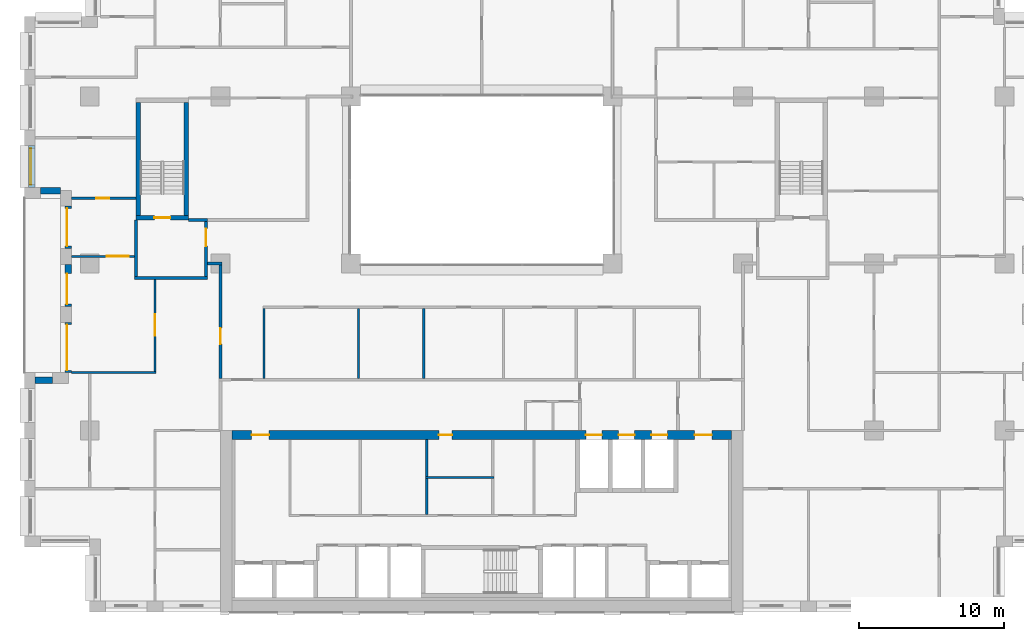
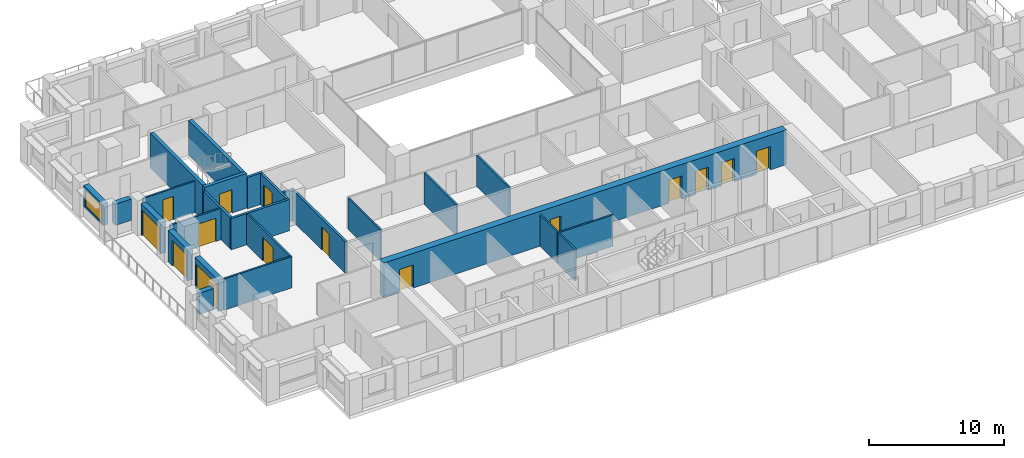
# One storey, part 9 of 16: 26 walls, 15 doors, 1 window, 16 openings.
"""IFC4 building model written with IfcOpenShell, lengths in metres."""

import ifcopenshell
import ifcopenshell.guid

model = None  # the IFC model being written
_history = None  # IfcOwnerHistory: only IFC2X3 demands one
_inside = {}  # id of a spatial element -> (the spatial element, [elements in it])
_under = {}  # id of a project, library or spatial element -> (it, [spatial elements below it])
_declared = {}  # id of a project -> (the project, [libraries it declares])
_typed = {}  # id of a type object -> (the type object, [elements of that type])
_made_of = {}  # id of a material, layer set ... -> (it, [elements and type objects made of it])


def new_model(schema):
    """Start an empty IFC model of exactly this schema.

    Asked for "IFC4X3", IfcOpenShell would pick the latest addendum, in which some entities
    have other attributes; the version numbers below select the first issue.
    IFC2X3 requires an IfcOwnerHistory on every rooted entity: one is made here for all.
    """
    global model, _history
    if schema == "IFC4X3":
        model = ifcopenshell.file(schema_version=(4, 3, 0, 0))
    else:
        model = ifcopenshell.file(schema=schema)
    _inside.clear()
    _under.clear()
    _declared.clear()
    _typed.clear()
    _made_of.clear()
    _history = None
    if model.schema == "IFC2X3":
        org = make("IfcOrganization", Name="unknown")
        user = make(
            "IfcPersonAndOrganization",
            ThePerson=make("IfcPerson", FamilyName="unknown"),
            TheOrganization=org,
        )
        app = make(
            "IfcApplication",
            ApplicationDeveloper=org,
            Version="unknown",
            ApplicationFullName="unknown",
            ApplicationIdentifier="unknown",
        )
        _history = make(
            "IfcOwnerHistory",
            OwningUser=user,
            OwningApplication=app,
            ChangeAction="ADDED",
            CreationDate=0,
        )
    return model


def make(cls, **values):
    """One entity of the class cls with the attributes given. An attribute that is None is left unset."""
    return model.create_entity(
        cls, **{name: value for name, value in values.items() if value is not None}
    )


def rooted(cls, **values):
    """An entity with a GlobalId (a new one), such as an element, a storey or a relation."""
    return make(cls, GlobalId=ifcopenshell.guid.new(), OwnerHistory=_history, **values)


def si_unit(unit_type, name, prefix=None):
    """IfcSIUnit, for example si_unit("LENGTHUNIT", "METRE", prefix="MILLI")."""
    return make("IfcSIUnit", UnitType=unit_type, Prefix=prefix, Name=name)


def assignment(units):
    """IfcUnitAssignment: the units of a project."""
    return None if units is None else make("IfcUnitAssignment", Units=units)


def point(xyz):
    """IfcCartesianPoint."""
    return None if xyz is None else make("IfcCartesianPoint", Coordinates=xyz)


def direction(xyz):
    """IfcDirection."""
    return None if xyz is None else make("IfcDirection", DirectionRatios=xyz)


def frame(location, z_axis=None, x_axis=None):
    """IfcAxis2Placement3D, a coordinate frame: its origin and axes. An axis left out is left unset."""
    return make(
        "IfcAxis2Placement3D",
        Location=point(location),
        Axis=direction(z_axis),
        RefDirection=direction(x_axis),
    )


def frame_2d(location, x_axis=None):
    """IfcAxis2Placement2D, a coordinate frame in the plane: its origin and x axis."""
    return make(
        "IfcAxis2Placement2D", Location=point(location), RefDirection=direction(x_axis)
    )


def origin():
    """The frame at (0, 0, 0) with its axes left unset."""
    return frame((0.0, 0.0, 0.0))


def place(relative_to, where):
    """IfcLocalPlacement: puts the frame where relative to a parent placement (None: the world)."""
    return make(
        "IfcLocalPlacement", PlacementRelTo=relative_to, RelativePlacement=where
    )


def context(
    kind, dimensions, precision=None, world=None, true_north=None, identifier=None
):
    """IfcGeometricRepresentationContext, for example the 3D "Model" context."""
    return make(
        "IfcGeometricRepresentationContext",
        ContextIdentifier=identifier,
        ContextType=kind,
        CoordinateSpaceDimension=dimensions,
        Precision=precision,
        WorldCoordinateSystem=world,
        TrueNorth=true_north,
    )


def subcontext(parent, identifier, kind, view, scale=None):
    """IfcGeometricRepresentationSubContext, for example "Body" below "Model"."""
    return make(
        "IfcGeometricRepresentationSubContext",
        ContextIdentifier=identifier,
        ContextType=kind,
        ParentContext=parent,
        TargetScale=scale,
        TargetView=view,
    )


def project(units=None, contexts=None):
    """IfcProject with its units and contexts."""
    return rooted(
        "IfcProject",
        Name="project",
        RepresentationContexts=contexts,
        UnitsInContext=assignment(units),
    )


def spatial(cls, under=None, at=None, **own):
    """A site, building, storey or space (cls), placed at a placement, below another one or the project."""
    s = rooted(cls, ObjectPlacement=at, **own)
    if under is not None:
        _under.setdefault(under.id(), (under, []))[1].append(s)
    return s


def profile(cls, at=None, kind="AREA", **sizes):
    """A parametric profile (cls). Its sizes go by their IFC names, for example OverallWidth=200.0."""
    return make(cls, ProfileType=kind, Position=at, **sizes)


def rectangle(**sizes):
    """IfcRectangleProfileDef."""
    return profile("IfcRectangleProfileDef", **sizes)


def extrude(swept, where, along, depth):
    """IfcExtrudedAreaSolid: the profile swept, set in the frame where, extruded along a direction by depth."""
    return make(
        "IfcExtrudedAreaSolid",
        SweptArea=swept,
        Position=where,
        ExtrudedDirection=direction(along),
        Depth=depth,
    )


def shape(context_of_items, identifier, shape_type, items):
    """IfcShapeRepresentation: the items that make up one representation, for example the "Body"."""
    return make(
        "IfcShapeRepresentation",
        ContextOfItems=context_of_items,
        RepresentationIdentifier=identifier,
        RepresentationType=shape_type,
        Items=items,
    )


def material(Name=None, Category=None):
    """IfcMaterial."""
    return make("IfcMaterial", Name=Name, Category=Category)


def layer(
    of_material, thickness, ventilated=None, Name=None, Category=None, Priority=None
):
    """IfcMaterialLayer: one layer of a wall or slab, of a material (None: an air gap)."""
    return make(
        "IfcMaterialLayer",
        Material=of_material,
        LayerThickness=thickness,
        IsVentilated=ventilated,
        Name=Name,
        Category=Category,
        Priority=Priority,
    )


def layer_set(layers, Name=None):
    """IfcMaterialLayerSet."""
    return make("IfcMaterialLayerSet", MaterialLayers=layers, LayerSetName=Name)


def made_of(thing, what):
    """Note that an element or type object is made of a material, layer set ...; save() writes the relation."""
    if what is not None:
        _made_of.setdefault(what.id(), (what, []))[1].append(thing)
    return thing


def type_object(cls, material=None, **own):
    """A type object (cls), such as IfcWallType, which elements share."""
    return made_of(rooted(cls, **own), material)


def element(
    cls,
    number,
    at=None,
    inside=None,
    cuts=None,
    type_object=None,
    material=None,
    context=None,
    identifier="Body",
    shape_type=None,
    held_by="IfcProductDefinitionShape",
    body=None,
    shapes=None,
    **own,
):
    """One element of the class cls, such as IfcWall. Its Tag is "e" and its number.

    at: its placement. inside: the storey or other place that contains it. cuts: it is an
    opening in that element (IfcRelVoidsElement). A single representation is given by context,
    identifier, shape_type and body (its items); several are given by shapes. held_by: the class
    of the entity that holds the representations. save() writes the other relations.
    """
    e = rooted(cls, Tag="e%d" % number, ObjectPlacement=at, **own)
    if body is not None:
        shapes = [shape(context, identifier, shape_type, body)]
    if shapes is not None:
        e.Representation = make(held_by, Representations=shapes)
    if inside is not None:
        _inside.setdefault(inside.id(), (inside, []))[1].append(e)
    if cuts is not None:
        rooted(
            "IfcRelVoidsElement", RelatingBuildingElement=cuts, RelatedOpeningElement=e
        )
    if type_object is not None:
        _typed.setdefault(type_object.id(), (type_object, []))[1].append(e)
    return made_of(e, material)


def fill(opening, filler):
    """IfcRelFillsElement: the door or window that sits in an opening."""
    return rooted(
        "IfcRelFillsElement",
        RelatingOpeningElement=opening,
        RelatedBuildingElement=filler,
    )


def aggregate(whole, parts):
    """IfcRelAggregates: a whole, such as a stair, and the parts it consists of."""
    return rooted("IfcRelAggregates", RelatingObject=whole, RelatedObjects=parts)


def save(model, path):
    """Write the relations noted so far, then the file.

    IfcRelAggregates (storeys below a building ...), IfcRelContainedInSpatialStructure (elements
    in a storey), IfcRelDefinesByType, IfcRelAssociatesMaterial and IfcRelDeclares: one each for
    every whole, place, type object, material and project.
    """
    for whole, parts in _under.values():
        aggregate(whole, parts)
    for where, things in _inside.values():
        rooted(
            "IfcRelContainedInSpatialStructure",
            RelatedElements=things,
            RelatingStructure=where,
        )
    for kind, things in _typed.values():
        rooted("IfcRelDefinesByType", RelatedObjects=things, RelatingType=kind)
    for what, things in _made_of.values():
        rooted("IfcRelAssociatesMaterial", RelatedObjects=things, RelatingMaterial=what)
    for by, libraries in _declared.values():
        rooted("IfcRelDeclares", RelatingContext=by, RelatedDefinitions=libraries)
    model.write(path)


model = new_model("IFC4")

# Units and contexts
model_context = context("Model", 3, precision=1e-05, world=origin(), true_north=direction((0.0, 1.0)))
body_context = subcontext(model_context, "Body", "Model", "MODEL_VIEW")
ifc_project = project(units=[si_unit("LENGTHUNIT", "METRE"), si_unit("AREAUNIT", "SQUARE_METRE"), si_unit("VOLUMEUNIT", "CUBIC_METRE"), si_unit("PLANEANGLEUNIT", "RADIAN"), si_unit("MASSUNIT", "GRAM", prefix="KILO")], contexts=[model_context])

# Site, building, storey
site_placement = place(None, origin())
site = spatial("IfcSite", under=ifc_project, at=site_placement, CompositionType="ELEMENT")
building_placement = place(site_placement, origin())
building = spatial("IfcBuilding", under=site, at=building_placement, Name="Brigalow Station Residences", CompositionType="ELEMENT")
storey_placement = place(building_placement, frame((0.0, 0.0, 86.699951171875)))
storey = spatial("IfcBuildingStorey", under=building, at=storey_placement, Name="L24", CompositionType="ELEMENT", Elevation=86.699951171875)

# Wall, opening, window
ifc_material_1 = material(Name="Clay brick masonry", Category="masonry")
ifc_layer_1 = layer(ifc_material_1, 0.449951171875)
ifc_layer_set_1 = layer_set([ifc_layer_1], Name="BRICK INFILL WALL 450")
wall_type_1 = type_object("IfcWallType", Name="BRICK INFILL WALL 450", PredefinedType="SOLIDWALL", material=ifc_layer_set_1)
wall_1_placement = place(storey_placement, frame((5.02490234375, 32.116943359375, 0.900146484375), z_axis=(0.0, 0.0, 1.0), x_axis=(0.0, -1.0, 0.0)))
wall_1 = element("IfcWall", 1, at=wall_1_placement, inside=storey, type_object=wall_type_1, Name="L24/ewall/W-L24-41", PredefinedType="SOLIDWALL", context=body_context, shape_type="SweptSolid", body=[
    extrude(rectangle(XDim=2.866943359375, YDim=0.449951171875, at=frame_2d((1.43359375, 0.0))), origin(), (0.0, 0.0, 1.0), 1.929931640625),
])
opening_1_placement = place(wall_1_placement, frame((0.18359375, 0.0, 0.14990234375)))
opening_1 = element("IfcOpeningElement", 2, at=opening_1_placement, cuts=wall_1, Name="Opening WT-5", PredefinedType="OPENING", context=body_context, shape_type="SweptSolid", body=[
    extrude(rectangle(XDim=2.5, YDim=1.5, at=frame_2d((1.25, 0.75))), frame((0.0, 0.23486328125, 0.0), z_axis=(0.0, -1.0, 0.0), x_axis=(1.0, 0.0, 0.0)), (0.0, 0.0, 1.0), 0.469970703125),
])
ifc_material_2 = material(Name="Anodised aluminium frame with double glazing", Category="aluminium")
window_type = type_object("IfcWindowType", Name="WINDOW 2500x1500", PartitioningType="SINGLE_PANEL", PredefinedType="WINDOW", material=ifc_material_2)
window_placement = place(opening_1_placement, origin())
window = element("IfcWindow", 3, at=window_placement, inside=storey, type_object=window_type, Name="L24/window/W-L24-41", OverallHeight=1.5, OverallWidth=2.5, PartitioningType="SINGLE_PANEL", PredefinedType="WINDOW", context=body_context, shape_type="SweptSolid", body=[
    extrude(rectangle(XDim=2.5, YDim=1.5, at=frame_2d((1.25, 0.75))), frame((0.0, -0.06494140625, 0.0), z_axis=(0.0, -1.0, 0.0), x_axis=(1.0, 0.0, 0.0)), (0.0, 0.0, 1.0), 0.06005859375),
])
fill(opening_1, window)

# Wall
wall_2_placement = place(storey_placement, frame((5.60009765625, 29.02490234375, 0.900146484375), z_axis=(0.0, 0.0, 1.0), x_axis=(1.0, 0.0, 0.0)))
element("IfcWall", 4, at=wall_2_placement, inside=storey, type_object=wall_type_1, Name="L24/ewall/W-L24-42", PredefinedType="SOLIDWALL", context=body_context, shape_type="SweptSolid", body=[
    extrude(rectangle(XDim=1.39990234375, YDim=0.449951171875, at=frame_2d((0.699951171875, 0.0))), origin(), (0.0, 0.0, 1.0), 1.929931640625),
])

# Wall, opening, door
wall_3_placement = place(storey_placement, frame((7.52490234375, 27.949951171875, 0.0), z_axis=(0.0, 0.0, 1.0), x_axis=(0.0, -1.0, 0.0)))
wall_3 = element("IfcWall", 5, at=wall_3_placement, inside=storey, type_object=wall_type_1, Name="L24/ewall/W-L24-43", PredefinedType="SOLIDWALL", context=body_context, shape_type="SweptSolid", body=[
    extrude(rectangle(XDim=2.89990234375, YDim=0.449951171875, at=frame_2d((1.449951171875, 0.0))), origin(), (0.0, 0.0, 1.0), 2.830078125),
])
opening_2_placement = place(wall_3_placement, frame((0.14990234375, 0.0, 0.0)))
opening_2 = element("IfcOpeningElement", 6, at=opening_2_placement, cuts=wall_3, Name="Opening D-B2600", PredefinedType="OPENING", context=body_context, shape_type="SweptSolid", body=[
    extrude(rectangle(XDim=2.60009765625, YDim=2.300048828125, at=frame_2d((1.300048828125, 1.14990234375))), frame((0.0, 0.23486328125, 0.0), z_axis=(0.0, -1.0, 0.0), x_axis=(1.0, 0.0, 0.0)), (0.0, 0.0, 1.0), 0.469970703125),
])
ifc_material_3 = material(Name="Anodised aluminium frame with double glazing", Category="aluminium")
door_type_1 = type_object("IfcDoorType", Name="BALCONY SLIDING DOOR 2600x2300", OperationType="SLIDING_TO_LEFT", PredefinedType="DOOR", material=ifc_material_3)
door_1_placement = place(opening_2_placement, origin())
door_1 = element("IfcDoor", 7, at=door_1_placement, inside=storey, type_object=door_type_1, Name="L24/balcony-door/W-L24-43", OperationType="SLIDING_TO_LEFT", OverallHeight=2.300048828125, OverallWidth=2.60009765625, PredefinedType="DOOR", context=body_context, shape_type="SweptSolid", body=[
    extrude(rectangle(XDim=2.60009765625, YDim=2.300048828125, at=frame_2d((1.300048828125, 1.14990234375))), frame((0.0, -0.06982421875, 0.0), z_axis=(0.0, -1.0, 0.0), x_axis=(1.0, 0.0, 0.0)), (0.0, 0.0, 1.0), 0.050048828125),
])
fill(opening_2, door_1)

wall_4_placement = place(storey_placement, frame((7.52490234375, 23.949951171875, 0.0), z_axis=(0.0, 0.0, 1.0), x_axis=(0.0, -1.0, 0.0)))
wall_4 = element("IfcWall", 8, at=wall_4_placement, inside=storey, type_object=wall_type_1, Name="L24/ewall/W-L24-44", PredefinedType="SOLIDWALL", context=body_context, shape_type="SweptSolid", body=[
    extrude(rectangle(XDim=2.89990234375, YDim=0.449951171875, at=frame_2d((1.449951171875, 0.0))), origin(), (0.0, 0.0, 1.0), 2.830078125),
])
opening_3_placement = place(wall_4_placement, frame((0.635009765625, 0.0, 0.0)))
opening_3 = element("IfcOpeningElement", 9, at=opening_3_placement, cuts=wall_4, Name="Opening D-B2100", PredefinedType="OPENING", context=body_context, shape_type="SweptSolid", body=[
    extrude(rectangle(XDim=2.10009765625, YDim=2.300048828125, at=frame_2d((1.050048828125, 1.14990234375))), frame((0.0, 0.23486328125, 0.0), z_axis=(0.0, -1.0, 0.0), x_axis=(1.0, 0.0, 0.0)), (0.0, 0.0, 1.0), 0.469970703125),
])
ifc_material_4 = material(Name="Anodised aluminium frame with double glazing", Category="aluminium")
door_type_2 = type_object("IfcDoorType", Name="BALCONY SLIDING DOOR 2100x2300", OperationType="SLIDING_TO_LEFT", PredefinedType="DOOR", material=ifc_material_4)
door_2_placement = place(opening_3_placement, origin())
door_2 = element("IfcDoor", 10, at=door_2_placement, inside=storey, type_object=door_type_2, Name="L24/balcony-door/W-L24-44", OperationType="SLIDING_TO_LEFT", OverallHeight=2.300048828125, OverallWidth=2.10009765625, PredefinedType="DOOR", context=body_context, shape_type="SweptSolid", body=[
    extrude(rectangle(XDim=2.10009765625, YDim=2.300048828125, at=frame_2d((1.050048828125, 1.14990234375))), frame((0.0, -0.06982421875, 0.0), z_axis=(0.0, -1.0, 0.0), x_axis=(1.0, 0.0, 0.0)), (0.0, 0.0, 1.0), 0.050048828125),
])
fill(opening_3, door_2)

wall_5_placement = place(storey_placement, frame((7.52490234375, 19.949951171875, 0.0), z_axis=(0.0, 0.0, 1.0), x_axis=(0.0, -1.0, 0.0)))
wall_5 = element("IfcWall", 11, at=wall_5_placement, inside=storey, type_object=wall_type_1, Name="L24/ewall/W-L24-45", PredefinedType="SOLIDWALL", context=body_context, shape_type="SweptSolid", body=[
    extrude(rectangle(XDim=3.449951171875, YDim=0.449951171875, at=frame_2d((1.72509765625, 0.0))), origin(), (0.0, 0.0, 1.0), 2.830078125),
])
opening_4_placement = place(wall_5_placement, frame((0.14990234375, 0.0, 0.0)))
opening_4 = element("IfcOpeningElement", 12, at=opening_4_placement, cuts=wall_5, Name="Opening D-B3150", PredefinedType="OPENING", context=body_context, shape_type="SweptSolid", body=[
    extrude(rectangle(XDim=3.14990234375, YDim=2.300048828125, at=frame_2d((1.574951171875, 1.14990234375))), frame((0.0, 0.23486328125, 0.0), z_axis=(0.0, -1.0, 0.0), x_axis=(1.0, 0.0, 0.0)), (0.0, 0.0, 1.0), 0.469970703125),
])
ifc_material_5 = material(Name="Anodised aluminium frame with double glazing", Category="aluminium")
door_type_3 = type_object("IfcDoorType", Name="BALCONY SLIDING DOOR 3150x2300", OperationType="SLIDING_TO_LEFT", PredefinedType="DOOR", material=ifc_material_5)
door_3_placement = place(opening_4_placement, origin())
door_3 = element("IfcDoor", 13, at=door_3_placement, inside=storey, type_object=door_type_3, Name="L24/balcony-door/W-L24-45", OperationType="SLIDING_TO_LEFT", OverallHeight=2.300048828125, OverallWidth=3.14990234375, PredefinedType="DOOR", context=body_context, shape_type="SweptSolid", body=[
    extrude(rectangle(XDim=3.14990234375, YDim=2.300048828125, at=frame_2d((1.574951171875, 1.14990234375))), frame((0.0, -0.06982421875, 0.0), z_axis=(0.0, -1.0, 0.0), x_axis=(1.0, 0.0, 0.0)), (0.0, 0.0, 1.0), 0.050048828125),
])
fill(opening_4, door_3)

# Wall
wall_6_placement = place(storey_placement, frame((6.449951171875, 15.97509765625, 0.900146484375), z_axis=(0.0, 0.0, 1.0), x_axis=(-1.0, 0.0, 0.0)))
element("IfcWall", 14, at=wall_6_placement, inside=storey, type_object=wall_type_1, Name="L24/ewall/W-L24-46", PredefinedType="SOLIDWALL", context=body_context, shape_type="SweptSolid", body=[
    extrude(rectangle(XDim=1.199951171875, YDim=0.449951171875, at=frame_2d((0.60009765625, 0.0))), origin(), (0.0, 0.0, 1.0), 1.929931640625),
])

# Wall, opening, door
ifc_material_6 = material(Name="Concrete C65", Category="concrete")
ifc_layer_2 = layer(ifc_material_6, 0.300048828125)
ifc_layer_set_2 = layer_set([ifc_layer_2], Name="CORE SHEAR WALL 300 C65")
wall_type_2 = type_object("IfcWallType", Name="CORE SHEAR WALL 300 C65", PredefinedType="SHEAR", material=ifc_layer_set_2)
wall_7_placement = place(storey_placement, frame((12.199951171875, 27.14990234375, 0.0), z_axis=(0.0, 0.0, 1.0), x_axis=(1.0, 0.0, 0.0)))
wall_7 = element("IfcWall", 15, at=wall_7_placement, inside=storey, type_object=wall_type_2, Name="CORE WALL ST-S1-S L24", PredefinedType="SHEAR", context=body_context, shape_type="SweptSolid", body=[
    extrude(rectangle(XDim=3.60009765625, YDim=0.300048828125, at=frame_2d((1.800048828125, 0.0))), origin(), (0.0, 0.0, 1.0), 3.150146484375),
])
opening_5_placement = place(wall_7_placement, frame((1.25, 0.0, 0.0)))
opening_5 = element("IfcOpeningElement", 16, at=opening_5_placement, cuts=wall_7, Name="Opening D-5015", PredefinedType="OPENING", context=body_context, shape_type="SweptSolid", body=[
    extrude(rectangle(XDim=1.10009765625, YDim=2.10009765625, at=frame_2d((0.550048828125, 1.050048828125))), frame((0.0, 0.16015625, 0.0), z_axis=(0.0, -1.0, 0.0), x_axis=(1.0, 0.0, 0.0)), (0.0, 0.0, 1.0), 0.320068359375),
])
ifc_material_7 = material(Name="Steel fire door leaf in steel frame", Category="steel")
door_type_4 = type_object("IfcDoorType", Name="STAIR DOOR 1100 x 2100 FD60S", OperationType="SINGLE_SWING_LEFT", PredefinedType="DOOR", material=ifc_material_7)
door_4_placement = place(opening_5_placement, origin())
door_4 = element("IfcDoor", 17, at=door_4_placement, inside=storey, type_object=door_type_4, Name="D-5015", OperationType="SINGLE_SWING_LEFT", OverallHeight=2.10009765625, OverallWidth=1.10009765625, PredefinedType="DOOR", context=body_context, shape_type="SweptSolid", body=[
    extrude(rectangle(XDim=1.10009765625, YDim=2.10009765625, at=frame_2d((0.550048828125, 1.050048828125))), frame((0.0, 0.02490234375, 0.0), z_axis=(0.0, -1.0, 0.0), x_axis=(1.0, 0.0, 0.0)), (0.0, 0.0, 1.0), 0.050048828125),
])
fill(opening_5, door_4)

# Walls
for number, where, z_axis, x_axis, name in (
    (18, (12.35009765625, 27.300048828125, 0.0), (0.0, 0.0, 1.0), (0.0, 1.0, 0.0), "CORE WALL ST-S1-W L24"),
    (19, (15.64990234375, 27.300048828125, 0.0), (0.0, 0.0, 1.0), (0.0, 1.0, 0.0), "CORE WALL ST-S1-E L24"),
):
    element("IfcWall", number, at=place(storey_placement, frame(where, z_axis=z_axis, x_axis=x_axis)), inside=storey, type_object=wall_type_2, Name=name, PredefinedType="SHEAR", context=body_context, shape_type="SweptSolid", body=[
        extrude(rectangle(XDim=7.800048828125, YDim=0.300048828125, at=frame_2d((3.89990234375, 0.0))), origin(), (0.0, 0.0, 1.0), 3.150146484375),
    ])

# Wall, openings, doors
ifc_material_8 = material(Name="Concrete C65", Category="concrete")
ifc_layer_3 = layer(ifc_material_8, 0.60009765625)
ifc_layer_set_3 = layer_set([ifc_layer_3], Name="CORE SHEAR WALL 600 C65")
wall_type_3 = type_object("IfcWallType", Name="CORE SHEAR WALL 600 C65", PredefinedType="SHEAR", material=ifc_layer_set_3)
wall_8_placement = place(storey_placement, frame((18.800048828125, 12.199951171875, 0.0), z_axis=(0.0, 0.0, 1.0), x_axis=(1.0, 0.0, 0.0)))
wall_8 = element("IfcWall", 20, at=wall_8_placement, inside=storey, type_object=wall_type_3, Name="CORE WALL OUT-N L24", PredefinedType="SHEAR", context=body_context, shape_type="SweptSolid", body=[
    extrude(rectangle(XDim=34.39990234375, YDim=0.60009765625, at=frame_2d((17.199951171875, 0.0))), origin(), (0.0, 0.0, 1.0), 3.150146484375),
])
opening_6_placement = place(wall_8_placement, frame((24.375, 0.0, 0.0)))
opening_6 = element("IfcOpeningElement", 21, at=opening_6_placement, cuts=wall_8, Name="Opening LD-LF1", PredefinedType="OPENING", context=body_context, shape_type="SweptSolid", body=[
    extrude(rectangle(XDim=1.10009765625, YDim=2.10009765625, at=frame_2d((0.550048828125, 1.050048828125))), frame((0.0, 0.31005859375, 0.0), z_axis=(0.0, -1.0, 0.0), x_axis=(1.0, 0.0, 0.0)), (0.0, 0.0, 1.0), 0.6201171875),
])
opening_7_placement = place(wall_8_placement, frame((26.625, 0.0, 0.0)))
opening_7 = element("IfcOpeningElement", 22, at=opening_7_placement, cuts=wall_8, Name="Opening LD-LF2", PredefinedType="OPENING", context=body_context, shape_type="SweptSolid", body=[
    extrude(rectangle(XDim=1.10009765625, YDim=2.10009765625, at=frame_2d((0.550048828125, 1.050048828125))), frame((0.0, 0.31005859375, 0.0), z_axis=(0.0, -1.0, 0.0), x_axis=(1.0, 0.0, 0.0)), (0.0, 0.0, 1.0), 0.6201171875),
])
opening_8_placement = place(wall_8_placement, frame((28.875, 0.0, 0.0)))
opening_8 = element("IfcOpeningElement", 23, at=opening_8_placement, cuts=wall_8, Name="Opening LD-LG1", PredefinedType="OPENING", context=body_context, shape_type="SweptSolid", body=[
    extrude(rectangle(XDim=1.10009765625, YDim=2.10009765625, at=frame_2d((0.550048828125, 1.050048828125))), frame((0.0, 0.31005859375, 0.0), z_axis=(0.0, -1.0, 0.0), x_axis=(1.0, 0.0, 0.0)), (0.0, 0.0, 1.0), 0.6201171875),
])
opening_9_placement = place(wall_8_placement, frame((14.25, 0.0, 0.0)))
opening_9 = element("IfcOpeningElement", 24, at=opening_9_placement, cuts=wall_8, Name="Opening D-5113", PredefinedType="OPENING", context=body_context, shape_type="SweptSolid", body=[
    extrude(rectangle(XDim=0.89990234375, YDim=2.10009765625, at=frame_2d((0.449951171875, 1.050048828125))), frame((0.0, 0.31005859375, 0.0), z_axis=(0.0, -1.0, 0.0), x_axis=(1.0, 0.0, 0.0)), (0.0, 0.0, 1.0), 0.6201171875),
])
opening_10_placement = place(wall_8_placement, frame((1.35009765625, 0.0, 0.0)))
opening_10 = element("IfcOpeningElement", 25, at=opening_10_placement, cuts=wall_8, Name="Opening D-5011", PredefinedType="OPENING", context=body_context, shape_type="SweptSolid", body=[
    extrude(rectangle(XDim=1.199951171875, YDim=2.10009765625, at=frame_2d((0.60009765625, 1.050048828125))), frame((0.0, 0.31005859375, 0.0), z_axis=(0.0, -1.0, 0.0), x_axis=(1.0, 0.0, 0.0)), (0.0, 0.0, 1.0), 0.6201171875),
])
opening_11_placement = place(wall_8_placement, frame((31.85009765625, 0.0, 0.0)))
opening_11 = element("IfcOpeningElement", 26, at=opening_11_placement, cuts=wall_8, Name="Opening D-5012", PredefinedType="OPENING", context=body_context, shape_type="SweptSolid", body=[
    extrude(rectangle(XDim=1.199951171875, YDim=2.10009765625, at=frame_2d((0.60009765625, 1.050048828125))), frame((0.0, 0.31005859375, 0.0), z_axis=(0.0, -1.0, 0.0), x_axis=(1.0, 0.0, 0.0)), (0.0, 0.0, 1.0), 0.6201171875),
])
ifc_material_9 = material(Name="Steel fire door leaf in steel frame", Category="steel")
door_type_5 = type_object("IfcDoorType", Name="CORE CORRIDOR DOOR 1200 x 2100 FD60S", OperationType="SINGLE_SWING_LEFT", PredefinedType="DOOR", material=ifc_material_9)
door_5_placement = place(opening_10_placement, frame((1.199951171875, 0.0, 0.0), z_axis=(0.0, 0.0, 1.0), x_axis=(-1.0, 0.0, 0.0)))
door_5 = element("IfcDoor", 27, at=door_5_placement, inside=storey, type_object=door_type_5, Name="D-5011", OperationType="SINGLE_SWING_LEFT", OverallHeight=2.10009765625, OverallWidth=1.199951171875, PredefinedType="DOOR", context=body_context, shape_type="SweptSolid", body=[
    extrude(rectangle(XDim=1.199951171875, YDim=2.10009765625, at=frame_2d((0.60009765625, 1.050048828125))), frame((0.0, 0.02490234375, 0.0), z_axis=(0.0, -1.0, 0.0), x_axis=(1.0, 0.0, 0.0)), (0.0, 0.0, 1.0), 0.050048828125),
])
fill(opening_10, door_5)
door_6_placement = place(opening_11_placement, frame((1.199951171875, 0.0, 0.0), z_axis=(0.0, 0.0, 1.0), x_axis=(-1.0, 0.0, 0.0)))
door_6 = element("IfcDoor", 28, at=door_6_placement, inside=storey, type_object=door_type_5, Name="D-5012", OperationType="SINGLE_SWING_RIGHT", OverallHeight=2.10009765625, OverallWidth=1.199951171875, PredefinedType="DOOR", context=body_context, shape_type="SweptSolid", body=[
    extrude(rectangle(XDim=1.199951171875, YDim=2.10009765625, at=frame_2d((0.60009765625, 1.050048828125))), frame((0.0, 0.02490234375, 0.0), z_axis=(0.0, -1.0, 0.0), x_axis=(1.0, 0.0, 0.0)), (0.0, 0.0, 1.0), 0.050048828125),
])
fill(opening_11, door_6)
ifc_material_10 = material(Name="Stainless steel sliding door leaves", Category="steel")
door_type_6 = type_object("IfcDoorType", Name="LIFT LANDING DOOR 1100 x 2100", OperationType="DOUBLE_DOOR_SLIDING", PredefinedType="DOOR", material=ifc_material_10)
door_7_placement = place(opening_6_placement, origin())
door_7 = element("IfcDoor", 29, at=door_7_placement, inside=storey, type_object=door_type_6, Name="LANDING DOOR LF1", OperationType="DOUBLE_DOOR_SLIDING", OverallHeight=2.10009765625, OverallWidth=1.10009765625, PredefinedType="DOOR", context=body_context, shape_type="SweptSolid", body=[
    extrude(rectangle(XDim=1.10009765625, YDim=2.10009765625, at=frame_2d((0.550048828125, 1.050048828125))), frame((0.0, 0.02490234375, 0.0), z_axis=(0.0, -1.0, 0.0), x_axis=(1.0, 0.0, 0.0)), (0.0, 0.0, 1.0), 0.050048828125),
])
fill(opening_6, door_7)
door_8_placement = place(opening_7_placement, origin())
door_8 = element("IfcDoor", 30, at=door_8_placement, inside=storey, type_object=door_type_6, Name="LANDING DOOR LF2", OperationType="DOUBLE_DOOR_SLIDING", OverallHeight=2.10009765625, OverallWidth=1.10009765625, PredefinedType="DOOR", context=body_context, shape_type="SweptSolid", body=[
    extrude(rectangle(XDim=1.10009765625, YDim=2.10009765625, at=frame_2d((0.550048828125, 1.050048828125))), frame((0.0, 0.02490234375, 0.0), z_axis=(0.0, -1.0, 0.0), x_axis=(1.0, 0.0, 0.0)), (0.0, 0.0, 1.0), 0.050048828125),
])
fill(opening_7, door_8)
door_9_placement = place(opening_8_placement, origin())
door_9 = element("IfcDoor", 31, at=door_9_placement, inside=storey, type_object=door_type_6, Name="LANDING DOOR LG1", OperationType="DOUBLE_DOOR_SLIDING", OverallHeight=2.10009765625, OverallWidth=1.10009765625, PredefinedType="DOOR", context=body_context, shape_type="SweptSolid", body=[
    extrude(rectangle(XDim=1.10009765625, YDim=2.10009765625, at=frame_2d((0.550048828125, 1.050048828125))), frame((0.0, 0.02490234375, 0.0), z_axis=(0.0, -1.0, 0.0), x_axis=(1.0, 0.0, 0.0)), (0.0, 0.0, 1.0), 0.050048828125),
])
fill(opening_8, door_9)
ifc_material_11 = material(Name="Steel door leaf in steel frame", Category="steel")
door_type_7 = type_object("IfcDoorType", Name="SERVICE ROOM DOOR 900 x 2100 FD60", OperationType="SINGLE_SWING_LEFT", PredefinedType="DOOR", material=ifc_material_11)
door_10_placement = place(opening_9_placement, frame((0.89990234375, 0.0, 0.0), z_axis=(0.0, 0.0, 1.0), x_axis=(-1.0, 0.0, 0.0)))
door_10 = element("IfcDoor", 32, at=door_10_placement, inside=storey, type_object=door_type_7, Name="D-5113", OperationType="SINGLE_SWING_RIGHT", OverallHeight=2.10009765625, OverallWidth=0.89990234375, PredefinedType="DOOR", context=body_context, shape_type="SweptSolid", body=[
    extrude(rectangle(XDim=0.89990234375, YDim=2.10009765625, at=frame_2d((0.449951171875, 1.050048828125))), frame((0.0, 0.02490234375, 0.0), z_axis=(0.0, -1.0, 0.0), x_axis=(1.0, 0.0, 0.0)), (0.0, 0.0, 1.0), 0.050048828125),
])
fill(opening_9, door_10)

# Walls
ifc_material_12 = material(Name="Concrete blockwork", Category="masonry")
ifc_layer_4 = layer(ifc_material_12, 0.199951171875)
ifc_layer_set_4 = layer_set([ifc_layer_4], Name="FIRE RATED CORE PARTITION 200")
wall_type_4 = type_object("IfcWallType", Name="FIRE RATED CORE PARTITION 200", PredefinedType="PARTITIONING", material=ifc_layer_set_4)
wall_9_placement = place(storey_placement, frame((12.10009765625, 23.0, 0.0), z_axis=(0.0, 0.0, 1.0), x_axis=(1.0, 0.0, 0.0)))
element("IfcWall", 33, at=wall_9_placement, inside=storey, type_object=wall_type_4, Name="PW-5023", PredefinedType="PARTITIONING", context=body_context, shape_type="SweptSolid", body=[
    extrude(rectangle(XDim=5.0, YDim=0.199951171875, at=frame_2d((2.5, 0.0))), origin(), (0.0, 0.0, 1.0), 2.830078125),
])
wall_10_placement = place(storey_placement, frame((15.800048828125, 27.0, 0.0), z_axis=(0.0, 0.0, 1.0), x_axis=(1.0, 0.0, 0.0)))
element("IfcWall", 34, at=wall_10_placement, inside=storey, type_object=wall_type_4, Name="PW-5025", PredefinedType="PARTITIONING", context=body_context, shape_type="SweptSolid", body=[
    extrude(rectangle(XDim=1.300048828125, YDim=0.199951171875, at=frame_2d((0.64990234375, 0.0))), origin(), (0.0, 0.0, 1.0), 2.830078125),
])
wall_11_placement = place(storey_placement, frame((12.199951171875, 23.10009765625, 0.0), z_axis=(0.0, 0.0, 1.0), x_axis=(0.0, 1.0, 0.0)))
element("IfcWall", 35, at=wall_11_placement, inside=storey, type_object=wall_type_4, Name="PW-5034", PredefinedType="PARTITIONING", context=body_context, shape_type="SweptSolid", body=[
    extrude(rectangle(XDim=3.89990234375, YDim=0.199951171875, at=frame_2d((1.949951171875, 0.0))), origin(), (0.0, 0.0, 1.0), 2.830078125),
])

# Wall, opening, door
wall_12_placement = place(storey_placement, frame((17.0, 23.10009765625, 0.0), z_axis=(0.0, 0.0, 1.0), x_axis=(0.0, 1.0, 0.0)))
wall_12 = element("IfcWall", 36, at=wall_12_placement, inside=storey, type_object=wall_type_4, Name="PW-5035", PredefinedType="PARTITIONING", context=body_context, shape_type="SweptSolid", body=[
    extrude(rectangle(XDim=3.7998046875, YDim=0.199951171875, at=frame_2d((1.89990234375, 0.0))), origin(), (0.0, 0.0, 1.0), 2.830078125),
])
opening_12_placement = place(wall_12_placement, frame((2.10009765625, 0.0, 0.0)))
opening_12 = element("IfcOpeningElement", 37, at=opening_12_placement, cuts=wall_12, Name="Opening D-5016", PredefinedType="OPENING", context=body_context, shape_type="SweptSolid", body=[
    extrude(rectangle(XDim=1.199951171875, YDim=2.10009765625, at=frame_2d((0.60009765625, 1.050048828125))), frame((0.0, 0.10986328125, 0.0), z_axis=(0.0, -1.0, 0.0), x_axis=(1.0, 0.0, 0.0)), (0.0, 0.0, 1.0), 0.219970703125),
])
ifc_material_13 = material(Name="Steel fire door leaf in steel frame", Category="steel")
door_type_8 = type_object("IfcDoorType", Name="STAIR LOBBY DOOR 1200 x 2100 FD60S", OperationType="SINGLE_SWING_LEFT", PredefinedType="DOOR", material=ifc_material_13)
door_11_placement = place(opening_12_placement, origin())
door_11 = element("IfcDoor", 38, at=door_11_placement, inside=storey, type_object=door_type_8, Name="D-5016", OperationType="SINGLE_SWING_RIGHT", OverallHeight=2.10009765625, OverallWidth=1.199951171875, PredefinedType="DOOR", context=body_context, shape_type="SweptSolid", body=[
    extrude(rectangle(XDim=1.199951171875, YDim=2.10009765625, at=frame_2d((0.60009765625, 1.050048828125))), frame((0.0, 0.02490234375, 0.0), z_axis=(0.0, -1.0, 0.0), x_axis=(1.0, 0.0, 0.0)), (0.0, 0.0, 1.0), 0.050048828125),
])
fill(opening_12, door_11)

# Wall
ifc_material_14 = material(Name="Plasterboard on steel stud partition", Category="steel")
ifc_layer_5 = layer(ifc_material_14, 0.14990234375)
ifc_layer_set_5 = layer_set([ifc_layer_5], Name="FLAT PARTITION 150")
wall_type_5 = type_object("IfcWallType", Name="FLAT PARTITION 150", PredefinedType="PARTITIONING", material=ifc_layer_set_5)
wall_13_placement = place(storey_placement, frame((7.75, 16.5, 0.0), z_axis=(0.0, 0.0, 1.0), x_axis=(1.0, 0.0, 0.0)))
element("IfcWall", 39, at=wall_13_placement, inside=storey, type_object=wall_type_5, Name="PW-2A14", PredefinedType="PARTITIONING", context=body_context, shape_type="SweptSolid", body=[
    extrude(rectangle(XDim=5.824951171875, YDim=0.14990234375, at=frame_2d((2.91259765625, 0.0))), origin(), (0.0, 0.0, 1.0), 2.830078125),
])

# Wall, opening, door
wall_14_placement = place(storey_placement, frame((7.75, 24.5, 0.0), z_axis=(0.0, 0.0, 1.0), x_axis=(1.0, 0.0, 0.0)))
wall_14 = element("IfcWall", 40, at=wall_14_placement, inside=storey, type_object=wall_type_5, Name="PW-2A19", PredefinedType="PARTITIONING", context=body_context, shape_type="SweptSolid", body=[
    extrude(rectangle(XDim=4.35009765625, YDim=0.14990234375, at=frame_2d((2.175048828125, 0.0))), origin(), (0.0, 0.0, 1.0), 2.830078125),
])
opening_13_placement = place(wall_14_placement, frame((2.425048828125, 0.0, 0.0)))
opening_13 = element("IfcOpeningElement", 41, at=opening_13_placement, cuts=wall_14, Name="Opening D-2A10", PredefinedType="OPENING", context=body_context, shape_type="SweptSolid", body=[
    extrude(rectangle(XDim=1.5, YDim=2.10009765625, at=frame_2d((0.75, 1.050048828125))), frame((0.0, 0.0849609375, 0.0), z_axis=(0.0, -1.0, 0.0), x_axis=(1.0, 0.0, 0.0)), (0.0, 0.0, 1.0), 0.169921875),
])
ifc_material_15 = material(Name="Solid-core timber door leaf", Category="wood")
door_type_9 = type_object("IfcDoorType", Name="INTERNAL DOUBLE DOOR 1500 x 2100", OperationType="DOUBLE_DOOR_SINGLE_SWING", PredefinedType="DOOR", material=ifc_material_15)
door_12_placement = place(opening_13_placement, origin())
door_12 = element("IfcDoor", 42, at=door_12_placement, inside=storey, type_object=door_type_9, Name="D-2A10", OperationType="DOUBLE_DOOR_SINGLE_SWING", OverallHeight=2.10009765625, OverallWidth=1.5, PredefinedType="DOOR", context=body_context, shape_type="SweptSolid", body=[
    extrude(rectangle(XDim=1.5, YDim=2.10009765625, at=frame_2d((0.75, 1.050048828125))), frame((0.0, 0.02490234375, 0.0), z_axis=(0.0, -1.0, 0.0), x_axis=(1.0, 0.0, 0.0)), (0.0, 0.0, 1.0), 0.050048828125),
])
fill(opening_13, door_12)

wall_15_placement = place(storey_placement, frame((7.75, 28.5, 0.0), z_axis=(0.0, 0.0, 1.0), x_axis=(1.0, 0.0, 0.0)))
wall_15 = element("IfcWall", 43, at=wall_15_placement, inside=storey, type_object=wall_type_5, Name="PW-2A22", PredefinedType="PARTITIONING", context=body_context, shape_type="SweptSolid", body=[
    extrude(rectangle(XDim=4.449951171875, YDim=0.14990234375, at=frame_2d((2.22509765625, 0.0))), origin(), (0.0, 0.0, 1.0), 2.830078125),
])
opening_14_placement = place(wall_15_placement, frame((1.699951171875, 0.0, 0.0)))
opening_14 = element("IfcOpeningElement", 44, at=opening_14_placement, cuts=wall_15, Name="Opening D-2A11", PredefinedType="OPENING", context=body_context, shape_type="SweptSolid", body=[
    extrude(rectangle(XDim=0.89990234375, YDim=2.10009765625, at=frame_2d((0.449951171875, 1.050048828125))), frame((0.0, 0.0849609375, 0.0), z_axis=(0.0, -1.0, 0.0), x_axis=(1.0, 0.0, 0.0)), (0.0, 0.0, 1.0), 0.169921875),
])
ifc_material_16 = material(Name="Solid-core timber door leaf", Category="wood")
door_type_10 = type_object("IfcDoorType", Name="INTERNAL DOOR 900 x 2100", OperationType="SINGLE_SWING_LEFT", PredefinedType="DOOR", material=ifc_material_16)
door_13_placement = place(opening_14_placement, frame((0.89990234375, 0.0, 0.0), z_axis=(0.0, 0.0, 1.0), x_axis=(-1.0, 0.0, 0.0)))
door_13 = element("IfcDoor", 45, at=door_13_placement, inside=storey, type_object=door_type_10, Name="D-2A11", OperationType="SINGLE_SWING_RIGHT", OverallHeight=2.10009765625, OverallWidth=0.89990234375, PredefinedType="DOOR", context=body_context, shape_type="SweptSolid", body=[
    extrude(rectangle(XDim=0.89990234375, YDim=2.10009765625, at=frame_2d((0.449951171875, 1.050048828125))), frame((0.0, 0.02490234375, 0.0), z_axis=(0.0, -1.0, 0.0), x_axis=(1.0, 0.0, 0.0)), (0.0, 0.0, 1.0), 0.050048828125),
])
fill(opening_14, door_13)

# Wall
wall_16_placement = place(storey_placement, frame((21.0, 16.10009765625, 0.0), z_axis=(0.0, 0.0, 1.0), x_axis=(0.0, 1.0, 0.0)))
element("IfcWall", 46, at=wall_16_placement, inside=storey, type_object=wall_type_5, Name="PW-2A43", PredefinedType="PARTITIONING", context=body_context, shape_type="SweptSolid", body=[
    extrude(rectangle(XDim=4.824951171875, YDim=0.14990234375, at=frame_2d((2.41259765625, 0.0))), origin(), (0.0, 0.0, 1.0), 2.830078125),
])

# Wall, opening, door
wall_17_placement = place(storey_placement, frame((13.5, 16.574951171875, 0.0), z_axis=(0.0, 0.0, 1.0), x_axis=(0.0, 1.0, 0.0)))
wall_17 = element("IfcWall", 47, at=wall_17_placement, inside=storey, type_object=wall_type_5, Name="PW-2A50", PredefinedType="PARTITIONING", context=body_context, shape_type="SweptSolid", body=[
    extrude(rectangle(XDim=6.324951171875, YDim=0.14990234375, at=frame_2d((3.16259765625, 0.0))), origin(), (0.0, 0.0, 1.0), 2.830078125),
])
opening_15_placement = place(wall_17_placement, frame((2.449951171875, 0.0, 0.0)))
opening_15 = element("IfcOpeningElement", 48, at=opening_15_placement, cuts=wall_17, Name="Opening D-2A09", PredefinedType="OPENING", context=body_context, shape_type="SweptSolid", body=[
    extrude(rectangle(XDim=1.5, YDim=2.10009765625, at=frame_2d((0.75, 1.050048828125))), frame((0.0, 0.0849609375, 0.0), z_axis=(0.0, -1.0, 0.0), x_axis=(1.0, 0.0, 0.0)), (0.0, 0.0, 1.0), 0.169921875),
])
door_14_placement = place(opening_15_placement, origin())
door_14 = element("IfcDoor", 49, at=door_14_placement, inside=storey, type_object=door_type_9, Name="D-2A09", OperationType="DOUBLE_DOOR_SINGLE_SWING", OverallHeight=2.10009765625, OverallWidth=1.5, PredefinedType="DOOR", context=body_context, shape_type="SweptSolid", body=[
    extrude(rectangle(XDim=1.5, YDim=2.10009765625, at=frame_2d((0.75, 1.050048828125))), frame((0.0, 0.02490234375, 0.0), z_axis=(0.0, -1.0, 0.0), x_axis=(1.0, 0.0, 0.0)), (0.0, 0.0, 1.0), 0.050048828125),
])
fill(opening_15, door_14)

# Walls
for number, where, z_axis, x_axis, name in (
    (50, (27.5, 16.10009765625, 0.0), (0.0, 0.0, 1.0), (0.0, 1.0, 0.0), "PW-2A72"),
    (51, (32.0, 16.10009765625, 0.0), (0.0, 0.0, 1.0), (0.0, 1.0, 0.0), "PW-2A73"),
):
    element("IfcWall", number, at=place(storey_placement, frame(where, z_axis=z_axis, x_axis=x_axis)), inside=storey, type_object=wall_type_5, Name=name, PredefinedType="PARTITIONING", context=body_context, shape_type="SweptSolid", body=[
        extrude(rectangle(XDim=4.824951171875, YDim=0.14990234375, at=frame_2d((2.41259765625, 0.0))), origin(), (0.0, 0.0, 1.0), 2.830078125),
    ])
ifc_material_17 = material(Name="Plasterboard on steel stud partition", Category="steel")
ifc_layer_6 = layer(ifc_material_17, 0.199951171875)
ifc_layer_set_6 = layer_set([ifc_layer_6], Name="PARTY AND CORRIDOR WALL 200")
wall_type_6 = type_object("IfcWallType", Name="PARTY AND CORRIDOR WALL 200", PredefinedType="PARTITIONING", material=ifc_layer_set_6)
wall_18_placement = place(storey_placement, frame((17.10009765625, 24.0, 0.0), z_axis=(0.0, 0.0, 1.0), x_axis=(1.0, 0.0, 0.0)))
element("IfcWall", 52, at=wall_18_placement, inside=storey, type_object=wall_type_6, Name="PW-2A02", PredefinedType="PARTITIONING", context=body_context, shape_type="SweptSolid", body=[
    extrude(rectangle(XDim=1.0, YDim=0.199951171875, at=frame_2d((0.5, 0.0))), origin(), (0.0, 0.0, 1.0), 2.830078125),
])

# Wall, opening, door
wall_19_placement = place(storey_placement, frame((18.0, 16.10009765625, 0.0), z_axis=(0.0, 0.0, 1.0), x_axis=(0.0, 1.0, 0.0)))
wall_19 = element("IfcWall", 53, at=wall_19_placement, inside=storey, type_object=wall_type_6, Name="PW-2A40", PredefinedType="PARTITIONING", context=body_context, shape_type="SweptSolid", body=[
    extrude(rectangle(XDim=7.7998046875, YDim=0.199951171875, at=frame_2d((3.89990234375, 0.0))), origin(), (0.0, 0.0, 1.0), 2.830078125),
])
opening_16_placement = place(wall_19_placement, frame((2.35009765625, 0.0, 0.0)))
opening_16 = element("IfcOpeningElement", 54, at=opening_16_placement, cuts=wall_19, Name="Opening D-2A03", PredefinedType="OPENING", context=body_context, shape_type="SweptSolid", body=[
    extrude(rectangle(XDim=1.10009765625, YDim=2.10009765625, at=frame_2d((0.550048828125, 1.050048828125))), frame((0.0, 0.10986328125, 0.0), z_axis=(0.0, -1.0, 0.0), x_axis=(1.0, 0.0, 0.0)), (0.0, 0.0, 1.0), 0.219970703125),
])
ifc_material_18 = material(Name="Solid-core timber door leaf", Category="wood")
door_type_11 = type_object("IfcDoorType", Name="FLAT ENTRANCE DOOR 1100 x 2100 FRL -/60/30", OperationType="SINGLE_SWING_LEFT", PredefinedType="DOOR", material=ifc_material_18)
door_15_placement = place(opening_16_placement, origin())
door_15 = element("IfcDoor", 55, at=door_15_placement, inside=storey, type_object=door_type_11, Name="D-2A03", OperationType="SINGLE_SWING_RIGHT", OverallHeight=2.10009765625, OverallWidth=1.10009765625, PredefinedType="DOOR", context=body_context, shape_type="SweptSolid", body=[
    extrude(rectangle(XDim=1.10009765625, YDim=2.10009765625, at=frame_2d((0.550048828125, 1.050048828125))), frame((0.0, 0.02490234375, 0.0), z_axis=(0.0, -1.0, 0.0), x_axis=(1.0, 0.0, 0.0)), (0.0, 0.0, 1.0), 0.050048828125),
])
fill(opening_16, door_15)

# Walls
ifc_material_19 = material(Name="Plasterboard on steel studs", Category="steel")
ifc_layer_7 = layer(ifc_material_19, 0.14990234375)
ifc_layer_set_7 = layer_set([ifc_layer_7], Name="SERVICE ROOM PARTITION 150")
wall_type_7 = type_object("IfcWallType", Name="SERVICE ROOM PARTITION 150", PredefinedType="PARTITIONING", material=ifc_layer_set_7)
wall_20_placement = place(storey_placement, frame((32.135009765625, 9.27001953125, 0.0), z_axis=(0.0, 0.0, 1.0), x_axis=(1.0, 0.0, 0.0)))
element("IfcWall", 56, at=wall_20_placement, inside=storey, type_object=wall_type_7, Name="PW-5196", PredefinedType="PARTITIONING", context=body_context, shape_type="SweptSolid", body=[
    extrude(rectangle(XDim=4.68994140625, YDim=0.14990234375, at=frame_2d((2.344970703125, 0.0))), origin(), (0.0, 0.0, 1.0), 2.830078125),
])
wall_21_placement = place(storey_placement, frame((32.2099609375, 6.72509765625, 0.0), z_axis=(0.0, 0.0, 1.0), x_axis=(0.0, 1.0, 0.0)))
element("IfcWall", 57, at=wall_21_placement, inside=storey, type_object=wall_type_7, Name="PW-5199", PredefinedType="PARTITIONING", context=body_context, shape_type="SweptSolid", body=[
    extrude(rectangle(XDim=2.469970703125, YDim=0.14990234375, at=frame_2d((1.23486328125, 0.0))), origin(), (0.0, 0.0, 1.0), 2.830078125),
])
wall_22_placement = place(storey_placement, frame((32.2099609375, 9.344970703125, 0.0), z_axis=(0.0, 0.0, 1.0), x_axis=(0.0, 1.0, 0.0)))
element("IfcWall", 58, at=wall_22_placement, inside=storey, type_object=wall_type_7, Name="PW-5202", PredefinedType="PARTITIONING", context=body_context, shape_type="SweptSolid", body=[
    extrude(rectangle(XDim=2.554931640625, YDim=0.14990234375, at=frame_2d((1.27734375, 0.0))), origin(), (0.0, 0.0, 1.0), 2.830078125),
])

save(model, "model.ifc")
